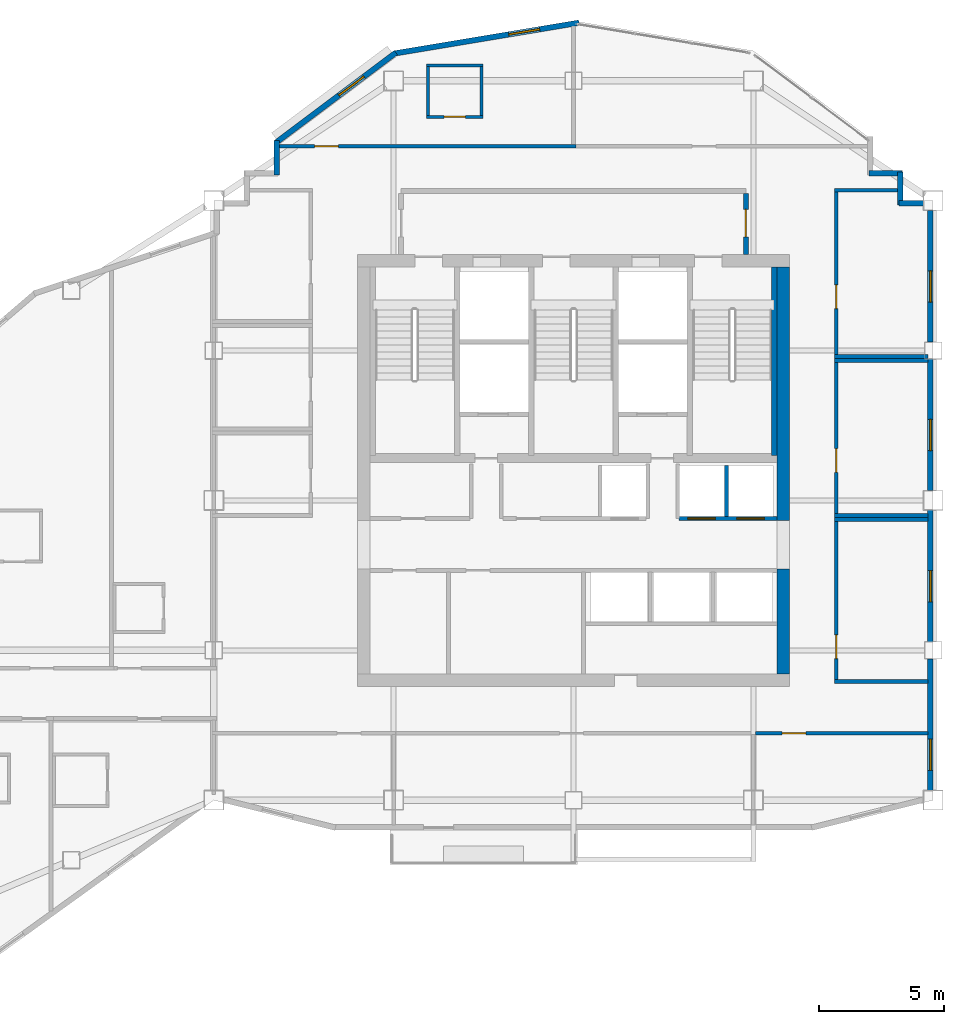
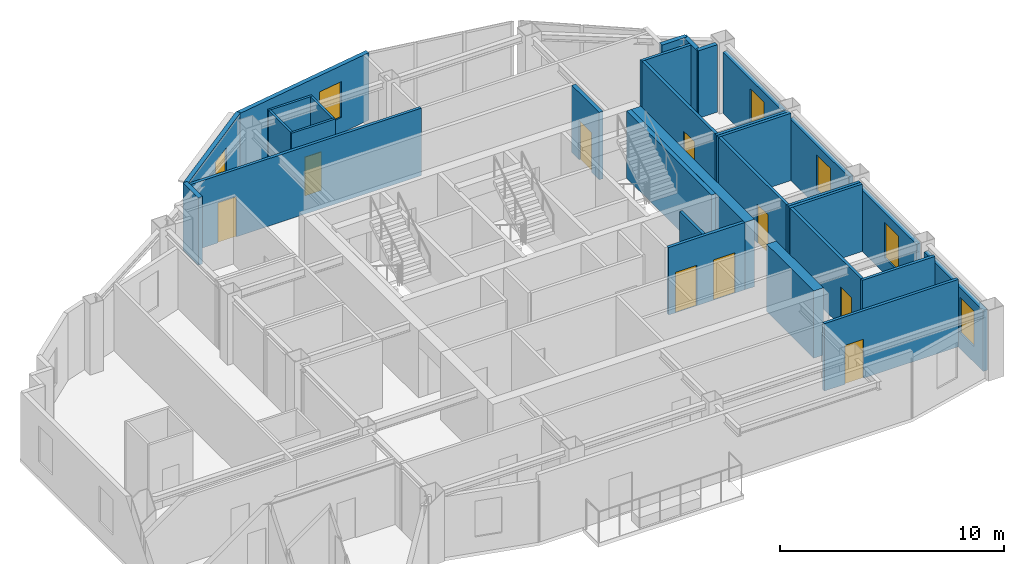
# One storey, part 7 of 9: 31 walls, 9 doors, 6 windows, 15 openings.
"""IFC4 building model written with IfcOpenShell, lengths in metres."""

import ifcopenshell
import ifcopenshell.guid

model = None  # the IFC model being written
_history = None  # IfcOwnerHistory: only IFC2X3 demands one
_inside = {}  # id of a spatial element -> (the spatial element, [elements in it])
_under = {}  # id of a project, library or spatial element -> (it, [spatial elements below it])
_declared = {}  # id of a project -> (the project, [libraries it declares])
_typed = {}  # id of a type object -> (the type object, [elements of that type])
_made_of = {}  # id of a material, layer set ... -> (it, [elements and type objects made of it])


def new_model(schema):
    """Start an empty IFC model of exactly this schema.

    Asked for "IFC4X3", IfcOpenShell would pick the latest addendum, in which some entities
    have other attributes; the version numbers below select the first issue.
    IFC2X3 requires an IfcOwnerHistory on every rooted entity: one is made here for all.
    """
    global model, _history
    if schema == "IFC4X3":
        model = ifcopenshell.file(schema_version=(4, 3, 0, 0))
    else:
        model = ifcopenshell.file(schema=schema)
    _inside.clear()
    _under.clear()
    _declared.clear()
    _typed.clear()
    _made_of.clear()
    _history = None
    if model.schema == "IFC2X3":
        org = make("IfcOrganization", Name="unknown")
        user = make(
            "IfcPersonAndOrganization",
            ThePerson=make("IfcPerson", FamilyName="unknown"),
            TheOrganization=org,
        )
        app = make(
            "IfcApplication",
            ApplicationDeveloper=org,
            Version="unknown",
            ApplicationFullName="unknown",
            ApplicationIdentifier="unknown",
        )
        _history = make(
            "IfcOwnerHistory",
            OwningUser=user,
            OwningApplication=app,
            ChangeAction="ADDED",
            CreationDate=0,
        )
    return model


def make(cls, **values):
    """One entity of the class cls with the attributes given. An attribute that is None is left unset."""
    return model.create_entity(
        cls, **{name: value for name, value in values.items() if value is not None}
    )


def rooted(cls, **values):
    """An entity with a GlobalId (a new one), such as an element, a storey or a relation."""
    return make(cls, GlobalId=ifcopenshell.guid.new(), OwnerHistory=_history, **values)


def si_unit(unit_type, name, prefix=None):
    """IfcSIUnit, for example si_unit("LENGTHUNIT", "METRE", prefix="MILLI")."""
    return make("IfcSIUnit", UnitType=unit_type, Prefix=prefix, Name=name)


def assignment(units):
    """IfcUnitAssignment: the units of a project."""
    return None if units is None else make("IfcUnitAssignment", Units=units)


def point(xyz):
    """IfcCartesianPoint."""
    return None if xyz is None else make("IfcCartesianPoint", Coordinates=xyz)


def direction(xyz):
    """IfcDirection."""
    return None if xyz is None else make("IfcDirection", DirectionRatios=xyz)


def frame(location, z_axis=None, x_axis=None):
    """IfcAxis2Placement3D, a coordinate frame: its origin and axes. An axis left out is left unset."""
    return make(
        "IfcAxis2Placement3D",
        Location=point(location),
        Axis=direction(z_axis),
        RefDirection=direction(x_axis),
    )


def frame_2d(location, x_axis=None):
    """IfcAxis2Placement2D, a coordinate frame in the plane: its origin and x axis."""
    return make(
        "IfcAxis2Placement2D", Location=point(location), RefDirection=direction(x_axis)
    )


def origin():
    """The frame at (0, 0, 0) with its axes left unset."""
    return frame((0.0, 0.0, 0.0))


def place(relative_to, where):
    """IfcLocalPlacement: puts the frame where relative to a parent placement (None: the world)."""
    return make(
        "IfcLocalPlacement", PlacementRelTo=relative_to, RelativePlacement=where
    )


def context(
    kind, dimensions, precision=None, world=None, true_north=None, identifier=None
):
    """IfcGeometricRepresentationContext, for example the 3D "Model" context."""
    return make(
        "IfcGeometricRepresentationContext",
        ContextIdentifier=identifier,
        ContextType=kind,
        CoordinateSpaceDimension=dimensions,
        Precision=precision,
        WorldCoordinateSystem=world,
        TrueNorth=true_north,
    )


def subcontext(parent, identifier, kind, view, scale=None):
    """IfcGeometricRepresentationSubContext, for example "Body" below "Model"."""
    return make(
        "IfcGeometricRepresentationSubContext",
        ContextIdentifier=identifier,
        ContextType=kind,
        ParentContext=parent,
        TargetScale=scale,
        TargetView=view,
    )


def project(units=None, contexts=None):
    """IfcProject with its units and contexts."""
    return rooted(
        "IfcProject",
        Name="project",
        RepresentationContexts=contexts,
        UnitsInContext=assignment(units),
    )


def spatial(cls, under=None, at=None, **own):
    """A site, building, storey or space (cls), placed at a placement, below another one or the project."""
    s = rooted(cls, ObjectPlacement=at, **own)
    if under is not None:
        _under.setdefault(under.id(), (under, []))[1].append(s)
    return s


def profile(cls, at=None, kind="AREA", **sizes):
    """A parametric profile (cls). Its sizes go by their IFC names, for example OverallWidth=200.0."""
    return make(cls, ProfileType=kind, Position=at, **sizes)


def rectangle(**sizes):
    """IfcRectangleProfileDef."""
    return profile("IfcRectangleProfileDef", **sizes)


def extrude(swept, where, along, depth):
    """IfcExtrudedAreaSolid: the profile swept, set in the frame where, extruded along a direction by depth."""
    return make(
        "IfcExtrudedAreaSolid",
        SweptArea=swept,
        Position=where,
        ExtrudedDirection=direction(along),
        Depth=depth,
    )


def shape(context_of_items, identifier, shape_type, items):
    """IfcShapeRepresentation: the items that make up one representation, for example the "Body"."""
    return make(
        "IfcShapeRepresentation",
        ContextOfItems=context_of_items,
        RepresentationIdentifier=identifier,
        RepresentationType=shape_type,
        Items=items,
    )


def material(Name=None, Category=None):
    """IfcMaterial."""
    return make("IfcMaterial", Name=Name, Category=Category)


def layer(
    of_material, thickness, ventilated=None, Name=None, Category=None, Priority=None
):
    """IfcMaterialLayer: one layer of a wall or slab, of a material (None: an air gap)."""
    return make(
        "IfcMaterialLayer",
        Material=of_material,
        LayerThickness=thickness,
        IsVentilated=ventilated,
        Name=Name,
        Category=Category,
        Priority=Priority,
    )


def layer_set(layers, Name=None):
    """IfcMaterialLayerSet."""
    return make("IfcMaterialLayerSet", MaterialLayers=layers, LayerSetName=Name)


def made_of(thing, what):
    """Note that an element or type object is made of a material, layer set ...; save() writes the relation."""
    if what is not None:
        _made_of.setdefault(what.id(), (what, []))[1].append(thing)
    return thing


def type_object(cls, material=None, **own):
    """A type object (cls), such as IfcWallType, which elements share."""
    return made_of(rooted(cls, **own), material)


def element(
    cls,
    number,
    at=None,
    inside=None,
    cuts=None,
    type_object=None,
    material=None,
    context=None,
    identifier="Body",
    shape_type=None,
    held_by="IfcProductDefinitionShape",
    body=None,
    shapes=None,
    **own,
):
    """One element of the class cls, such as IfcWall. Its Tag is "e" and its number.

    at: its placement. inside: the storey or other place that contains it. cuts: it is an
    opening in that element (IfcRelVoidsElement). A single representation is given by context,
    identifier, shape_type and body (its items); several are given by shapes. held_by: the class
    of the entity that holds the representations. save() writes the other relations.
    """
    e = rooted(cls, Tag="e%d" % number, ObjectPlacement=at, **own)
    if body is not None:
        shapes = [shape(context, identifier, shape_type, body)]
    if shapes is not None:
        e.Representation = make(held_by, Representations=shapes)
    if inside is not None:
        _inside.setdefault(inside.id(), (inside, []))[1].append(e)
    if cuts is not None:
        rooted(
            "IfcRelVoidsElement", RelatingBuildingElement=cuts, RelatedOpeningElement=e
        )
    if type_object is not None:
        _typed.setdefault(type_object.id(), (type_object, []))[1].append(e)
    return made_of(e, material)


def fill(opening, filler):
    """IfcRelFillsElement: the door or window that sits in an opening."""
    return rooted(
        "IfcRelFillsElement",
        RelatingOpeningElement=opening,
        RelatedBuildingElement=filler,
    )


def aggregate(whole, parts):
    """IfcRelAggregates: a whole, such as a stair, and the parts it consists of."""
    return rooted("IfcRelAggregates", RelatingObject=whole, RelatedObjects=parts)


def save(model, path):
    """Write the relations noted so far, then the file.

    IfcRelAggregates (storeys below a building ...), IfcRelContainedInSpatialStructure (elements
    in a storey), IfcRelDefinesByType, IfcRelAssociatesMaterial and IfcRelDeclares: one each for
    every whole, place, type object, material and project.
    """
    for whole, parts in _under.values():
        aggregate(whole, parts)
    for where, things in _inside.values():
        rooted(
            "IfcRelContainedInSpatialStructure",
            RelatedElements=things,
            RelatingStructure=where,
        )
    for kind, things in _typed.values():
        rooted("IfcRelDefinesByType", RelatedObjects=things, RelatingType=kind)
    for what, things in _made_of.values():
        rooted("IfcRelAssociatesMaterial", RelatedObjects=things, RelatingMaterial=what)
    for by, libraries in _declared.values():
        rooted("IfcRelDeclares", RelatingContext=by, RelatedDefinitions=libraries)
    model.write(path)


model = new_model("IFC4")

# Units and contexts
model_context = context("Model", 3, precision=1e-05, world=origin(), true_north=direction((0.0, 1.0)))
body_context = subcontext(model_context, "Body", "Model", "MODEL_VIEW")
ifc_project = project(units=[si_unit("LENGTHUNIT", "METRE"), si_unit("AREAUNIT", "SQUARE_METRE"), si_unit("VOLUMEUNIT", "CUBIC_METRE"), si_unit("PLANEANGLEUNIT", "RADIAN"), si_unit("MASSUNIT", "GRAM", prefix="KILO")], contexts=[model_context])

# Site, building, storey
site_placement = place(None, origin())
site = spatial("IfcSite", under=ifc_project, at=site_placement, CompositionType="ELEMENT")
building_placement = place(site_placement, origin())
building = spatial("IfcBuilding", under=site, at=building_placement, Name="Haolan Belvedere Tower", CompositionType="ELEMENT")
storey_placement = place(building_placement, frame((0.0, 0.0, 242.89990234375)))
storey = spatial("IfcBuildingStorey", under=building, at=storey_placement, Name="L61", CompositionType="ELEMENT", Elevation=242.89990234375)

# Walls
ifc_material_1 = material(Name="Concrete C50/60", Category="concrete")
ifc_layer_1 = layer(ifc_material_1, 0.5, Name="Concrete C50/60")
ifc_layer_set_1 = layer_set([ifc_layer_1], Name="Concrete C50/60")
wall_type_1 = type_object("IfcWallType", Name="WL-CORE-500", PredefinedType="SHEAR", material=ifc_layer_set_1)
wall_1_placement = place(storey_placement, frame((46.800048828125, 26.64990234375, 0.0), z_axis=(0.0, 0.0, 1.0), x_axis=(0.0, 1.0, 0.0)))
element("IfcWall", 1, at=wall_1_placement, inside=storey, type_object=wall_type_1, Name="L61 central core shear wall ES", PredefinedType="SHEAR", context=body_context, shape_type="SweptSolid", body=[
    extrude(rectangle(XDim=4.2001953125, YDim=0.5, at=frame_2d((2.10009765625, 0.0))), origin(), (0.0, 0.0, 1.0), 3.670166015625),
])
wall_2_placement = place(storey_placement, frame((46.800048828125, 32.800048828125, 0.0), z_axis=(0.0, 0.0, 1.0), x_axis=(0.0, 1.0, 0.0)))
element("IfcWall", 2, at=wall_2_placement, inside=storey, type_object=wall_type_1, Name="L61 central core shear wall EN", PredefinedType="SHEAR", context=body_context, shape_type="SweptSolid", body=[
    extrude(rectangle(XDim=10.14990234375, YDim=0.5, at=frame_2d((5.074951171875, 0.0))), origin(), (0.0, 0.0, 1.0), 3.670166015625),
])

# Wall, opening, window
ifc_material_2 = material(Name="Precast concrete C40/50", Category="concrete")
ifc_layer_2 = layer(ifc_material_2, 0.219970703125, Name="Precast concrete C40/50")
ifc_layer_set_2 = layer_set([ifc_layer_2], Name="Precast concrete C40/50")
wall_type_2 = type_object("IfcWallType", Name="WL-EXT-220", PredefinedType="SOLIDWALL", material=ifc_layer_set_2)
wall_3_placement = place(storey_placement, frame((52.68994140625, 21.991943359375, 0.0), z_axis=(0.0, 0.0, 1.0), x_axis=(0.0, 1.0, 0.0)))
wall_3 = element("IfcWall", 3, at=wall_3_placement, inside=storey, type_object=wall_type_2, Name="L61 pale-metal exterior spandrel wall 3.1", PredefinedType="SOLIDWALL", context=body_context, shape_type="SweptSolid", body=[
    extrude(rectangle(XDim=5.26611328125, YDim=0.219970703125, at=frame_2d((2.633056640625, 0.0))), origin(), (0.0, 0.0, 1.0), 3.315185546875),
])
opening_1_placement = place(wall_3_placement, frame((0.802978515625, 0.0, 0.85009765625)))
opening_1 = element("IfcOpeningElement", 4, at=opening_1_placement, cuts=wall_3, Name="Opening W-04", PredefinedType="OPENING", context=body_context, shape_type="SweptSolid", body=[
    extrude(rectangle(XDim=1.25, YDim=1.949951171875, at=frame_2d((0.625, 0.97509765625))), frame((0.0, 0.119873046875, 0.0), z_axis=(0.0, -1.0, 0.0), x_axis=(1.0, 0.0, 0.0)), (0.0, 0.0, 1.0), 0.239990234375),
])
ifc_material_3 = material(Name="Anodised aluminium 6063-T6 and Low-E glass", Category="aluminium")
window_type = type_object("IfcWindowType", Name="WN-DECO-Z4", PartitioningType="SINGLE_PANEL", PredefinedType="WINDOW", material=ifc_material_3)
window_1_placement = place(opening_1_placement, origin())
window_1 = element("IfcWindow", 5, at=window_1_placement, inside=storey, type_object=window_type, Name="L61 Art Deco chevron window 1", OverallHeight=1.949951171875, OverallWidth=1.25, PartitioningType="SINGLE_PANEL", PredefinedType="WINDOW", context=body_context, shape_type="SweptSolid", body=[
    extrude(rectangle(XDim=1.25, YDim=1.949951171875, at=frame_2d((0.625, 0.97509765625))), frame((0.0, 0.030029296875, 0.0), z_axis=(0.0, -1.0, 0.0), x_axis=(1.0, 0.0, 0.0)), (0.0, 0.0, 1.0), 0.06005859375),
])
fill(opening_1, window_1)

wall_4_placement = place(storey_placement, frame((52.68994140625, 27.94189453125, 0.0), z_axis=(0.0, 0.0, 1.0), x_axis=(0.0, 1.0, 0.0)))
wall_4 = element("IfcWall", 6, at=wall_4_placement, inside=storey, type_object=wall_type_2, Name="L61 pale-metal exterior spandrel wall 3.2", PredefinedType="SOLIDWALL", context=body_context, shape_type="SweptSolid", body=[
    extrude(rectangle(XDim=5.26611328125, YDim=0.219970703125, at=frame_2d((2.633056640625, 0.0))), origin(), (0.0, 0.0, 1.0), 3.315185546875),
])
opening_2_placement = place(wall_4_placement, frame((1.60009765625, 0.0, 0.85009765625)))
opening_2 = element("IfcOpeningElement", 7, at=opening_2_placement, cuts=wall_4, Name="Opening W-04", PredefinedType="OPENING", context=body_context, shape_type="SweptSolid", body=[
    extrude(rectangle(XDim=1.25, YDim=1.949951171875, at=frame_2d((0.625, 0.97509765625))), frame((0.0, 0.119873046875, 0.0), z_axis=(0.0, -1.0, 0.0), x_axis=(1.0, 0.0, 0.0)), (0.0, 0.0, 1.0), 0.239990234375),
])
window_2_placement = place(opening_2_placement, origin())
window_2 = element("IfcWindow", 8, at=window_2_placement, inside=storey, type_object=window_type, Name="L61 Art Deco chevron window 1", OverallHeight=1.949951171875, OverallWidth=1.25, PartitioningType="SINGLE_PANEL", PredefinedType="WINDOW", context=body_context, shape_type="SweptSolid", body=[
    extrude(rectangle(XDim=1.25, YDim=1.949951171875, at=frame_2d((0.625, 0.97509765625))), frame((0.0, 0.030029296875, 0.0), z_axis=(0.0, -1.0, 0.0), x_axis=(1.0, 0.0, 0.0)), (0.0, 0.0, 1.0), 0.06005859375),
])
fill(opening_2, window_2)

wall_5_placement = place(storey_placement, frame((52.68994140625, 33.991943359375, 0.0), z_axis=(0.0, 0.0, 1.0), x_axis=(0.0, 1.0, 0.0)))
wall_5 = element("IfcWall", 9, at=wall_5_placement, inside=storey, type_object=wall_type_2, Name="L61 pale-metal exterior spandrel wall 3.3", PredefinedType="SOLIDWALL", context=body_context, shape_type="SweptSolid", body=[
    extrude(rectangle(XDim=5.26611328125, YDim=0.219970703125, at=frame_2d((2.633056640625, 0.0))), origin(), (0.0, 0.0, 1.0), 3.315185546875),
])
opening_3_placement = place(wall_5_placement, frame((1.60009765625, 0.0, 0.85009765625)))
opening_3 = element("IfcOpeningElement", 10, at=opening_3_placement, cuts=wall_5, Name="Opening W-04", PredefinedType="OPENING", context=body_context, shape_type="SweptSolid", body=[
    extrude(rectangle(XDim=1.25, YDim=1.949951171875, at=frame_2d((0.625, 0.97509765625))), frame((0.0, 0.119873046875, 0.0), z_axis=(0.0, -1.0, 0.0), x_axis=(1.0, 0.0, 0.0)), (0.0, 0.0, 1.0), 0.239990234375),
])
window_3_placement = place(opening_3_placement, origin())
window_3 = element("IfcWindow", 11, at=window_3_placement, inside=storey, type_object=window_type, Name="L61 Art Deco chevron window 1", OverallHeight=1.949951171875, OverallWidth=1.25, PartitioningType="SINGLE_PANEL", PredefinedType="WINDOW", context=body_context, shape_type="SweptSolid", body=[
    extrude(rectangle(XDim=1.25, YDim=1.949951171875, at=frame_2d((0.625, 0.97509765625))), frame((0.0, 0.030029296875, 0.0), z_axis=(0.0, -1.0, 0.0), x_axis=(1.0, 0.0, 0.0)), (0.0, 0.0, 1.0), 0.06005859375),
])
fill(opening_3, window_3)

wall_6_placement = place(storey_placement, frame((52.68994140625, 39.94189453125, 0.0), z_axis=(0.0, 0.0, 1.0), x_axis=(0.0, 1.0, 0.0)))
wall_6 = element("IfcWall", 12, at=wall_6_placement, inside=storey, type_object=wall_type_2, Name="L61 pale-metal exterior spandrel wall 3.4", PredefinedType="SOLIDWALL", context=body_context, shape_type="SweptSolid", body=[
    extrude(rectangle(XDim=5.26611328125, YDim=0.219970703125, at=frame_2d((2.633056640625, 0.0))), origin(), (0.0, 0.0, 1.0), 3.315185546875),
])
opening_4_placement = place(wall_6_placement, frame((1.60009765625, 0.0, 0.85009765625)))
opening_4 = element("IfcOpeningElement", 13, at=opening_4_placement, cuts=wall_6, Name="Opening W-04", PredefinedType="OPENING", context=body_context, shape_type="SweptSolid", body=[
    extrude(rectangle(XDim=1.25, YDim=1.949951171875, at=frame_2d((0.625, 0.97509765625))), frame((0.0, 0.119873046875, 0.0), z_axis=(0.0, -1.0, 0.0), x_axis=(1.0, 0.0, 0.0)), (0.0, 0.0, 1.0), 0.239990234375),
])
window_4_placement = place(opening_4_placement, origin())
window_4 = element("IfcWindow", 14, at=window_4_placement, inside=storey, type_object=window_type, Name="L61 Art Deco chevron window 1", OverallHeight=1.949951171875, OverallWidth=1.25, PartitioningType="SINGLE_PANEL", PredefinedType="WINDOW", context=body_context, shape_type="SweptSolid", body=[
    extrude(rectangle(XDim=1.25, YDim=1.949951171875, at=frame_2d((0.625, 0.97509765625))), frame((0.0, 0.030029296875, 0.0), z_axis=(0.0, -1.0, 0.0), x_axis=(1.0, 0.0, 0.0)), (0.0, 0.0, 1.0), 0.06005859375),
])
fill(opening_4, window_4)

# Walls
wall_7_placement = place(storey_placement, frame((52.407958984375, 45.489990234375, 0.0), z_axis=(0.0, 0.0, 1.0), x_axis=(-1.0, 0.0, 0.0)))
element("IfcWall", 15, at=wall_7_placement, inside=storey, type_object=wall_type_2, Name="L61 pale-metal exterior spandrel wall 4.1", PredefinedType="SOLIDWALL", context=body_context, shape_type="SweptSolid", body=[
    extrude(rectangle(XDim=0.972900390625, YDim=0.219970703125, at=frame_2d((0.486328125, 0.0))), origin(), (0.0, 0.0, 1.0), 3.670166015625),
])
wall_8_placement = place(storey_placement, frame((51.489990234375, 45.43505859375, 0.0), z_axis=(0.0, 0.0, 1.0), x_axis=(0.0, 1.0, 0.0)))
element("IfcWall", 16, at=wall_8_placement, inside=storey, type_object=wall_type_2, Name="L61 pale-metal exterior spandrel wall 5.1", PredefinedType="SOLIDWALL", context=body_context, shape_type="SweptSolid", body=[
    extrude(rectangle(XDim=1.31005859375, YDim=0.219970703125, at=frame_2d((0.655029296875, 0.0))), origin(), (0.0, 0.0, 1.0), 3.670166015625),
])
wall_9_placement = place(storey_placement, frame((51.544921875, 46.68994140625, 0.0), z_axis=(0.0, 0.0, 1.0), x_axis=(-1.0, 0.0, 0.0)))
element("IfcWall", 17, at=wall_9_placement, inside=storey, type_object=wall_type_2, Name="L61 pale-metal exterior spandrel wall 6.1", PredefinedType="SOLIDWALL", context=body_context, shape_type="SweptSolid", body=[
    extrude(rectangle(XDim=1.309814453125, YDim=0.219970703125, at=frame_2d((0.65478515625, 0.0))), origin(), (0.0, 0.0, 1.0), 3.670166015625),
])

# Wall, opening, window
wall_10_placement = place(storey_placement, frame((38.621826171875, 52.7255859375, 0.0), z_axis=(0.0, 0.0, 1.0), x_axis=(-0.986390420428, -0.164420006349, 0.0)))
wall_10 = element("IfcWall", 18, at=wall_10_placement, inside=storey, type_object=wall_type_2, Name="L61 pale-metal exterior spandrel wall 10.1", PredefinedType="SOLIDWALL", context=body_context, shape_type="SweptSolid", body=[
    extrude(rectangle(XDim=7.5341796875, YDim=0.219970703125, at=frame_2d((3.76708984375, 0.0))), origin(), (0.0, 0.0, 1.0), 3.670166015625),
])
opening_5_placement = place(wall_10_placement, frame((1.60009765625, 0.0, 0.85009765625)))
opening_5 = element("IfcOpeningElement", 19, at=opening_5_placement, cuts=wall_10, Name="Opening W-04", PredefinedType="OPENING", context=body_context, shape_type="SweptSolid", body=[
    extrude(rectangle(XDim=1.25, YDim=1.949951171875, at=frame_2d((0.625, 0.97509765625))), frame((0.0, 0.119873046875, 0.0), z_axis=(0.0, -1.0, 0.0), x_axis=(1.0, 0.0, 0.0)), (0.0, 0.0, 1.0), 0.239990234375),
])
window_5_placement = place(opening_5_placement, origin())
window_5 = element("IfcWindow", 20, at=window_5_placement, inside=storey, type_object=window_type, Name="L61 Art Deco chevron window 1", OverallHeight=1.949951171875, OverallWidth=1.25, PartitioningType="SINGLE_PANEL", PredefinedType="WINDOW", context=body_context, shape_type="SweptSolid", body=[
    extrude(rectangle(XDim=1.25, YDim=1.949951171875, at=frame_2d((0.625, 0.97509765625))), frame((0.0, 0.030029296875, 0.0), z_axis=(0.0, -1.0, 0.0), x_axis=(1.0, 0.0, 0.0)), (0.0, 0.0, 1.0), 0.06005859375),
])
fill(opening_5, window_5)

wall_11_placement = place(storey_placement, frame((31.28857421875, 51.52880859375, 0.0), z_axis=(0.0, 0.0, 1.0), x_axis=(-0.800014580093, -0.599980559383, 0.0)))
wall_11 = element("IfcWall", 21, at=wall_11_placement, inside=storey, type_object=wall_type_2, Name="L61 pale-metal exterior spandrel wall 11.1", PredefinedType="SOLIDWALL", context=body_context, shape_type="SweptSolid", body=[
    extrude(rectangle(XDim=6.028076171875, YDim=0.219970703125, at=frame_2d((3.01416015625, 0.0))), origin(), (0.0, 0.0, 1.0), 3.670166015625),
])
opening_6_placement = place(wall_11_placement, frame((1.60009765625, 0.0, 0.85009765625)))
opening_6 = element("IfcOpeningElement", 22, at=opening_6_placement, cuts=wall_11, Name="Opening W-04", PredefinedType="OPENING", context=body_context, shape_type="SweptSolid", body=[
    extrude(rectangle(XDim=1.25, YDim=1.949951171875, at=frame_2d((0.625, 0.97509765625))), frame((0.0, 0.119873046875, 0.0), z_axis=(0.0, -1.0, 0.0), x_axis=(1.0, 0.0, 0.0)), (0.0, 0.0, 1.0), 0.239990234375),
])
window_6_placement = place(opening_6_placement, origin())
window_6 = element("IfcWindow", 23, at=window_6_placement, inside=storey, type_object=window_type, Name="L61 Art Deco chevron window 1", OverallHeight=1.949951171875, OverallWidth=1.25, PartitioningType="SINGLE_PANEL", PredefinedType="WINDOW", context=body_context, shape_type="SweptSolid", body=[
    extrude(rectangle(XDim=1.25, YDim=1.949951171875, at=frame_2d((0.625, 0.97509765625))), frame((0.0, 0.030029296875, 0.0), z_axis=(0.0, -1.0, 0.0), x_axis=(1.0, 0.0, 0.0)), (0.0, 0.0, 1.0), 0.06005859375),
])
fill(opening_6, window_6)

# Wall
wall_12_placement = place(storey_placement, frame((26.510009765625, 48.0, 0.0), z_axis=(0.0, 0.0, 1.0), x_axis=(0.0, -1.0, 0.0)))
element("IfcWall", 24, at=wall_12_placement, inside=storey, type_object=wall_type_2, Name="L61 pale-metal exterior spandrel wall 12.1", PredefinedType="SOLIDWALL", context=body_context, shape_type="SweptSolid", body=[
    extrude(rectangle(XDim=1.364990234375, YDim=0.219970703125, at=frame_2d((0.6826171875, 0.0))), origin(), (0.0, 0.0, 1.0), 3.670166015625),
])

# Wall, opening, door
ifc_material_4 = material(Name="Concrete C40/50", Category="concrete")
ifc_layer_3 = layer(ifc_material_4, 0.199951171875, Name="Concrete C40/50")
ifc_layer_set_3 = layer_set([ifc_layer_3], Name="Concrete C40/50")
wall_type_3 = type_object("IfcWallType", Name="WL-FIRE-200", PredefinedType="SOLIDWALL", material=ifc_layer_set_3)
wall_13_placement = place(storey_placement, frame((45.300048828125, 43.449951171875, 0.0), z_axis=(0.0, 0.0, 1.0), x_axis=(0.0, 1.0, 0.0)))
wall_13 = element("IfcWall", 25, at=wall_13_placement, inside=storey, type_object=wall_type_3, Name="L61 interior partition IW-L61-FFL-E", PredefinedType="SOLIDWALL", context=body_context, shape_type="SweptSolid", body=[
    extrude(rectangle(XDim=2.445068359375, YDim=0.199951171875, at=frame_2d((1.22265625, 0.0))), origin(), (0.0, 0.0, 1.0), 3.670166015625),
])
opening_7_placement = place(wall_13_placement, frame((0.699951171875, 0.0, 0.0)))
opening_7 = element("IfcOpeningElement", 26, at=opening_7_placement, cuts=wall_13, Name="Opening FD-03", PredefinedType="OPENING", context=body_context, shape_type="SweptSolid", body=[
    extrude(rectangle(XDim=1.10009765625, YDim=2.14990234375, at=frame_2d((0.550048828125, 1.074951171875))), frame((0.0, 0.10986328125, 0.0), z_axis=(0.0, -1.0, 0.0), x_axis=(1.0, 0.0, 0.0)), (0.0, 0.0, 1.0), 0.219970703125),
])
ifc_material_5 = material(Name="Galvanised fire-rated steel", Category="steel")
door_type_1 = type_object("IfcDoorType", Name="DR-FD90-1100", OperationType="NOTDEFINED", PredefinedType="DOOR", material=ifc_material_5)
door_1_placement = place(opening_7_placement, origin())
door_1 = element("IfcDoor", 27, at=door_1_placement, inside=storey, type_object=door_type_1, Name="L61 door ID-L61-FFL-DE", OperationType="SINGLE_SWING_RIGHT", OverallHeight=2.14990234375, OverallWidth=1.10009765625, PredefinedType="DOOR", context=body_context, shape_type="SweptSolid", body=[
    extrude(rectangle(XDim=1.10009765625, YDim=2.14990234375, at=frame_2d((0.550048828125, 1.074951171875))), frame((0.0, 0.02490234375, 0.0), z_axis=(0.0, -1.0, 0.0), x_axis=(1.0, 0.0, 0.0)), (0.0, 0.0, 1.0), 0.050048828125),
])
fill(opening_7, door_1)

# Walls
ifc_material_6 = material(Name="Double gypsum acoustic stud partition", Category="masonry")
ifc_layer_4 = layer(ifc_material_6, 0.14990234375, Name="Double gypsum acoustic stud partition")
ifc_layer_set_4 = layer_set([ifc_layer_4], Name="Double gypsum acoustic stud partition")
wall_type_4 = type_object("IfcWallType", Name="WL-PART-150", PredefinedType="PARTITIONING", material=ifc_layer_set_4)
for number, where, z_axis, x_axis, name in (
    (28, (48.840087890625, 39.199951171875, 0.0), (0.0, 0.0, 1.0), (1.0, 0.0, 0.0), "L61 interior partition IW-L61-HSK-N"),
    (29, (48.840087890625, 33.0, 0.0), (0.0, 0.0, 1.0), (1.0, 0.0, 0.0), "L61 interior partition IW-L61-HSK-S"),
):
    element("IfcWall", number, at=place(storey_placement, frame(where, z_axis=z_axis, x_axis=x_axis)), inside=storey, type_object=wall_type_4, Name=name, PredefinedType="PARTITIONING", context=body_context, shape_type="SweptSolid", body=[
        extrude(rectangle(XDim=3.747802734375, YDim=0.14990234375, at=frame_2d((1.8740234375, 0.0))), origin(), (0.0, 0.0, 1.0), 3.670166015625),
    ])

# Wall, opening, door
wall_14_placement = place(storey_placement, frame((48.919921875, 33.06005859375, 0.0), z_axis=(0.0, 0.0, 1.0), x_axis=(0.0, 1.0, 0.0)))
wall_14 = element("IfcWall", 30, at=wall_14_placement, inside=storey, type_object=wall_type_4, Name="L61 interior partition IW-L61-HSK-W", PredefinedType="PARTITIONING", context=body_context, shape_type="SweptSolid", body=[
    extrude(rectangle(XDim=6.079833984375, YDim=0.14990234375, at=frame_2d((3.0400390625, 0.0))), origin(), (0.0, 0.0, 1.0), 3.670166015625),
])
opening_8_placement = place(wall_14_placement, frame((1.659912109375, 0.0, 0.0)))
opening_8 = element("IfcOpeningElement", 31, at=opening_8_placement, cuts=wall_14, Name="Opening ID-03", PredefinedType="OPENING", context=body_context, shape_type="SweptSolid", body=[
    extrude(rectangle(XDim=0.949951171875, YDim=2.1201171875, at=frame_2d((0.47509765625, 1.06005859375))), frame((0.0, 0.0849609375, 0.0), z_axis=(0.0, -1.0, 0.0), x_axis=(1.0, 0.0, 0.0)), (0.0, 0.0, 1.0), 0.169921875),
])
ifc_material_7 = material(Name="Painted solid-core timber", Category="wood")
door_type_2 = type_object("IfcDoorType", Name="DR-INT-950", OperationType="NOTDEFINED", PredefinedType="DOOR", material=ifc_material_7)
door_2_placement = place(opening_8_placement, origin())
door_2 = element("IfcDoor", 32, at=door_2_placement, inside=storey, type_object=door_type_2, Name="L61 door ID-L61-HSK", OperationType="SINGLE_SWING_RIGHT", OverallHeight=2.1201171875, OverallWidth=0.949951171875, PredefinedType="DOOR", context=body_context, shape_type="SweptSolid", body=[
    extrude(rectangle(XDim=0.949951171875, YDim=2.1201171875, at=frame_2d((0.47509765625, 1.06005859375))), frame((0.0, 0.02490234375, 0.0), z_axis=(0.0, -1.0, 0.0), x_axis=(1.0, 0.0, 0.0)), (0.0, 0.0, 1.0), 0.050048828125),
])
fill(opening_8, door_2)

# Walls
wall_15_placement = place(storey_placement, frame((48.840087890625, 46.02001953125, 0.0), z_axis=(0.0, 0.0, 1.0), x_axis=(1.0, 0.0, 0.0)))
element("IfcWall", 33, at=wall_15_placement, inside=storey, type_object=wall_type_4, Name="L61 interior partition IW-L61-MTG-N", PredefinedType="PARTITIONING", context=body_context, shape_type="SweptSolid", body=[
    extrude(rectangle(XDim=2.5478515625, YDim=0.14990234375, at=frame_2d((1.27392578125, 0.0))), origin(), (0.0, 0.0, 1.0), 3.670166015625),
])
wall_16_placement = place(storey_placement, frame((48.840087890625, 39.360107421875, 0.0), z_axis=(0.0, 0.0, 1.0), x_axis=(1.0, 0.0, 0.0)))
element("IfcWall", 34, at=wall_16_placement, inside=storey, type_object=wall_type_4, Name="L61 interior partition IW-L61-MTG-S", PredefinedType="PARTITIONING", context=body_context, shape_type="SweptSolid", body=[
    extrude(rectangle(XDim=3.747802734375, YDim=0.14990234375, at=frame_2d((1.8740234375, 0.0))), origin(), (0.0, 0.0, 1.0), 3.670166015625),
])

# Wall, opening, door
wall_17_placement = place(storey_placement, frame((48.919921875, 39.419921875, 0.0), z_axis=(0.0, 0.0, 1.0), x_axis=(0.0, 1.0, 0.0)))
wall_17 = element("IfcWall", 35, at=wall_17_placement, inside=storey, type_object=wall_type_4, Name="L61 interior partition IW-L61-MTG-W", PredefinedType="PARTITIONING", context=body_context, shape_type="SweptSolid", body=[
    extrude(rectangle(XDim=6.5400390625, YDim=0.14990234375, at=frame_2d((3.27001953125, 0.0))), origin(), (0.0, 0.0, 1.0), 3.670166015625),
])
opening_9_placement = place(wall_17_placement, frame((1.860107421875, 0.0, 0.0)))
opening_9 = element("IfcOpeningElement", 36, at=opening_9_placement, cuts=wall_17, Name="Opening ID-03", PredefinedType="OPENING", context=body_context, shape_type="SweptSolid", body=[
    extrude(rectangle(XDim=0.949951171875, YDim=2.1201171875, at=frame_2d((0.47509765625, 1.06005859375))), frame((0.0, 0.0849609375, 0.0), z_axis=(0.0, -1.0, 0.0), x_axis=(1.0, 0.0, 0.0)), (0.0, 0.0, 1.0), 0.169921875),
])
door_3_placement = place(opening_9_placement, origin())
door_3 = element("IfcDoor", 37, at=door_3_placement, inside=storey, type_object=door_type_2, Name="L61 door ID-L61-MTG", OperationType="SINGLE_SWING_LEFT", OverallHeight=2.1201171875, OverallWidth=0.949951171875, PredefinedType="DOOR", context=body_context, shape_type="SweptSolid", body=[
    extrude(rectangle(XDim=0.949951171875, YDim=2.1201171875, at=frame_2d((0.47509765625, 1.06005859375))), frame((0.0, 0.02490234375, 0.0), z_axis=(0.0, -1.0, 0.0), x_axis=(1.0, 0.0, 0.0)), (0.0, 0.0, 1.0), 0.050048828125),
])
fill(opening_9, door_3)

# Walls
for number, where, z_axis, x_axis, name in (
    (38, (48.840087890625, 32.840087890625, 0.0), (0.0, 0.0, 1.0), (1.0, 0.0, 0.0), "L61 interior partition IW-L61-PKTE-N"),
    (39, (48.840087890625, 26.35009765625, 0.0), (0.0, 0.0, 1.0), (1.0, 0.0, 0.0), "L61 interior partition IW-L61-PKTE-S"),
):
    element("IfcWall", number, at=place(storey_placement, frame(where, z_axis=z_axis, x_axis=x_axis)), inside=storey, type_object=wall_type_4, Name=name, PredefinedType="PARTITIONING", context=body_context, shape_type="SweptSolid", body=[
        extrude(rectangle(XDim=3.747802734375, YDim=0.14990234375, at=frame_2d((1.8740234375, 0.0))), origin(), (0.0, 0.0, 1.0), 3.670166015625),
    ])

# Wall, opening, door
wall_18_placement = place(storey_placement, frame((48.919921875, 26.409912109375, 0.0), z_axis=(0.0, 0.0, 1.0), x_axis=(0.0, 1.0, 0.0)))
wall_18 = element("IfcWall", 40, at=wall_18_placement, inside=storey, type_object=wall_type_4, Name="L61 interior partition IW-L61-PKTE-W", PredefinedType="PARTITIONING", context=body_context, shape_type="SweptSolid", body=[
    extrude(rectangle(XDim=6.3701171875, YDim=0.14990234375, at=frame_2d((3.18505859375, 0.0))), origin(), (0.0, 0.0, 1.0), 3.670166015625),
])
opening_10_placement = place(wall_18_placement, frame((0.860107421875, 0.0, 0.0)))
opening_10 = element("IfcOpeningElement", 41, at=opening_10_placement, cuts=wall_18, Name="Opening ID-03", PredefinedType="OPENING", context=body_context, shape_type="SweptSolid", body=[
    extrude(rectangle(XDim=0.949951171875, YDim=2.1201171875, at=frame_2d((0.47509765625, 1.06005859375))), frame((0.0, 0.0849609375, 0.0), z_axis=(0.0, -1.0, 0.0), x_axis=(1.0, 0.0, 0.0)), (0.0, 0.0, 1.0), 0.169921875),
])
door_4_placement = place(opening_10_placement, origin())
door_4 = element("IfcDoor", 42, at=door_4_placement, inside=storey, type_object=door_type_2, Name="L61 door ID-L61-PKTE", OperationType="SINGLE_SWING_RIGHT", OverallHeight=2.1201171875, OverallWidth=0.949951171875, PredefinedType="DOOR", context=body_context, shape_type="SweptSolid", body=[
    extrude(rectangle(XDim=0.949951171875, YDim=2.1201171875, at=frame_2d((0.47509765625, 1.06005859375))), frame((0.0, 0.02490234375, 0.0), z_axis=(0.0, -1.0, 0.0), x_axis=(1.0, 0.0, 0.0)), (0.0, 0.0, 1.0), 0.050048828125),
])
fill(opening_10, door_4)

wall_19_placement = place(storey_placement, frame((45.681884765625, 24.280029296875, 0.0), z_axis=(0.0, 0.0, 1.0), x_axis=(1.0, 0.0, 0.0)))
wall_19 = element("IfcWall", 43, at=wall_19_placement, inside=storey, type_object=wall_type_4, Name="L61 interior partition IW-L61-KS3-N", PredefinedType="PARTITIONING", context=body_context, shape_type="SweptSolid", body=[
    extrude(rectangle(XDim=6.906005859375, YDim=0.14990234375, at=frame_2d((3.453125, 0.0))), origin(), (0.0, 0.0, 1.0), 3.670166015625),
])
opening_11_placement = place(wall_19_placement, frame((2.01806640625, 0.0, 0.0), z_axis=(0.0, 0.0, 1.0), x_axis=(-1.0, 0.0, 0.0)))
opening_11 = element("IfcOpeningElement", 44, at=opening_11_placement, cuts=wall_19, Name="Opening ID-03", PredefinedType="OPENING", context=body_context, shape_type="SweptSolid", body=[
    extrude(rectangle(XDim=0.949951171875, YDim=2.1201171875, at=frame_2d((0.47509765625, 1.06005859375))), frame((0.0, 0.0849609375, 0.0), z_axis=(0.0, -1.0, 0.0), x_axis=(1.0, 0.0, 0.0)), (0.0, 0.0, 1.0), 0.169921875),
])
door_5_placement = place(opening_11_placement, origin())
door_5 = element("IfcDoor", 45, at=door_5_placement, inside=storey, type_object=door_type_2, Name="L61 door ID-L61-KS3", OperationType="SINGLE_SWING_LEFT", OverallHeight=2.1201171875, OverallWidth=0.949951171875, PredefinedType="DOOR", context=body_context, shape_type="SweptSolid", body=[
    extrude(rectangle(XDim=0.949951171875, YDim=2.1201171875, at=frame_2d((0.47509765625, 1.06005859375))), frame((0.0, 0.02490234375, 0.0), z_axis=(0.0, -1.0, 0.0), x_axis=(1.0, 0.0, 0.0)), (0.0, 0.0, 1.0), 0.050048828125),
])
fill(opening_11, door_5)

wall_20_placement = place(storey_placement, frame((26.612060546875, 47.780029296875, 0.0), z_axis=(0.0, 0.0, 1.0), x_axis=(1.0, 0.0, 0.0)))
wall_20 = element("IfcWall", 46, at=wall_20_placement, inside=storey, type_object=wall_type_4, Name="L61 interior partition IW-L61-KN1-S", PredefinedType="PARTITIONING", context=body_context, shape_type="SweptSolid", body=[
    extrude(rectangle(XDim=11.887939453125, YDim=0.14990234375, at=frame_2d((5.94384765625, 0.0))), origin(), (0.0, 0.0, 1.0), 3.670166015625),
])
opening_12_placement = place(wall_20_placement, frame((1.419921875, 0.0, 0.0)))
opening_12 = element("IfcOpeningElement", 47, at=opening_12_placement, cuts=wall_20, Name="Opening ID-01", PredefinedType="OPENING", context=body_context, shape_type="SweptSolid", body=[
    extrude(rectangle(XDim=0.949951171875, YDim=2.179931640625, at=frame_2d((0.47509765625, 1.08984375))), frame((0.0, 0.0849609375, 0.0), z_axis=(0.0, -1.0, 0.0), x_axis=(1.0, 0.0, 0.0)), (0.0, 0.0, 1.0), 0.169921875),
])
ifc_material_8 = material(Name="Acoustic walnut veneer fire-rated timber", Category="wood")
door_type_3 = type_object("IfcDoorType", Name="DR-SUITE-950", OperationType="NOTDEFINED", PredefinedType="DOOR", material=ifc_material_8)
door_6_placement = place(opening_12_placement, origin())
door_6 = element("IfcDoor", 48, at=door_6_placement, inside=storey, type_object=door_type_3, Name="L61 door ID-L61-KN1-ENT", OperationType="SINGLE_SWING_RIGHT", OverallHeight=2.179931640625, OverallWidth=0.949951171875, PredefinedType="DOOR", context=body_context, shape_type="SweptSolid", body=[
    extrude(rectangle(XDim=0.949951171875, YDim=2.179931640625, at=frame_2d((0.47509765625, 1.08984375))), frame((0.0, 0.02490234375, 0.0), z_axis=(0.0, -1.0, 0.0), x_axis=(1.0, 0.0, 0.0)), (0.0, 0.0, 1.0), 0.050048828125),
])
fill(opening_12, door_6)

# Wall, openings, doors
ifc_material_9 = material(Name="Gypsum fire shaftwall assembly", Category="masonry")
ifc_layer_5 = layer(ifc_material_9, 0.1650390625, Name="Gypsum fire shaftwall assembly")
ifc_layer_set_5 = layer_set([ifc_layer_5], Name="Gypsum fire shaftwall assembly")
wall_type_5 = type_object("IfcWallType", Name="WL-SHAFT-160", PredefinedType="SOLIDWALL", material=ifc_layer_set_5)
wall_21_placement = place(storey_placement, frame((42.6298828125, 32.8798828125, 0.0), z_axis=(0.0, 0.0, 1.0), x_axis=(1.0, 0.0, 0.0)))
wall_21 = element("IfcWall", 49, at=wall_21_placement, inside=storey, type_object=wall_type_5, Name="L61 interior partition IW-L61-ROW-PN3", PredefinedType="SOLIDWALL", context=body_context, shape_type="SweptSolid", body=[
    extrude(rectangle(XDim=3.920166015625, YDim=0.159912109375, at=frame_2d((1.9599609375, 0.0))), origin(), (0.0, 0.0, 1.0), 3.670166015625),
])
opening_13_placement = place(wall_21_placement, frame((1.4501953125, 0.0, 0.0), z_axis=(0.0, 0.0, 1.0), x_axis=(-1.0, 0.0, 0.0)))
opening_13 = element("IfcOpeningElement", 50, at=opening_13_placement, cuts=wall_21, Name="Opening LD-01", PredefinedType="OPENING", context=body_context, shape_type="SweptSolid", body=[
    extrude(rectangle(XDim=1.10009765625, YDim=2.199951171875, at=frame_2d((0.550048828125, 1.10009765625))), frame((0.0, 0.08984375, 0.0), z_axis=(0.0, -1.0, 0.0), x_axis=(1.0, 0.0, 0.0)), (0.0, 0.0, 1.0), 0.179931640625),
])
opening_14_placement = place(wall_21_placement, frame((3.41015625, 0.0, 0.0), z_axis=(0.0, 0.0, 1.0), x_axis=(-1.0, 0.0, 0.0)))
opening_14 = element("IfcOpeningElement", 51, at=opening_14_placement, cuts=wall_21, Name="Opening LD-01", PredefinedType="OPENING", context=body_context, shape_type="SweptSolid", body=[
    extrude(rectangle(XDim=1.10009765625, YDim=2.199951171875, at=frame_2d((0.550048828125, 1.10009765625))), frame((0.0, 0.08984375, 0.0), z_axis=(0.0, -1.0, 0.0), x_axis=(1.0, 0.0, 0.0)), (0.0, 0.0, 1.0), 0.179931640625),
])
ifc_material_10 = material(Name="Brushed champagne stainless steel 316L", Category="steel")
door_type_4 = type_object("IfcDoorType", Name="DR-LIFT-1100", OperationType="SLIDING_TO_LEFT", PredefinedType="DOOR", material=ifc_material_10)
door_7_placement = place(opening_13_placement, origin())
door_7 = element("IfcDoor", 52, at=door_7_placement, inside=storey, type_object=door_type_4, Name="L61 door ID-L61-LD-PH2", OperationType="SLIDING_TO_RIGHT", OverallHeight=2.199951171875, OverallWidth=1.10009765625, PredefinedType="DOOR", context=body_context, shape_type="SweptSolid", body=[
    extrude(rectangle(XDim=1.10009765625, YDim=2.199951171875, at=frame_2d((0.550048828125, 1.10009765625))), frame((0.0, 0.02490234375, 0.0), z_axis=(0.0, -1.0, 0.0), x_axis=(1.0, 0.0, 0.0)), (0.0, 0.0, 1.0), 0.050048828125),
])
fill(opening_13, door_7)
door_8_placement = place(opening_14_placement, origin())
door_8 = element("IfcDoor", 53, at=door_8_placement, inside=storey, type_object=door_type_4, Name="L61 door ID-L61-LD-PH3", OperationType="SLIDING_TO_RIGHT", OverallHeight=2.199951171875, OverallWidth=1.10009765625, PredefinedType="DOOR", context=body_context, shape_type="SweptSolid", body=[
    extrude(rectangle(XDim=1.10009765625, YDim=2.199951171875, at=frame_2d((0.550048828125, 1.10009765625))), frame((0.0, 0.02490234375, 0.0), z_axis=(0.0, -1.0, 0.0), x_axis=(1.0, 0.0, 0.0)), (0.0, 0.0, 1.0), 0.050048828125),
])
fill(opening_14, door_8)

# Walls
wall_22_placement = place(storey_placement, frame((44.530029296875, 32.949951171875, 0.0), z_axis=(0.0, 0.0, 1.0), x_axis=(0.0, 1.0, 0.0)))
element("IfcWall", 54, at=wall_22_placement, inside=storey, type_object=wall_type_5, Name="L61 interior partition IW-L61-DIV-PH2", PredefinedType="SOLIDWALL", context=body_context, shape_type="SweptSolid", body=[
    extrude(rectangle(XDim=2.050048828125, YDim=0.14990234375, at=frame_2d((1.02490234375, 0.0))), origin(), (0.0, 0.0, 1.0), 3.670166015625),
])
ifc_layer_6 = layer(ifc_material_1, 0.219970703125, Name="Concrete C50/60")
ifc_layer_set_6 = layer_set([ifc_layer_6], Name="Concrete C50/60")
wall_type_6 = type_object("IfcWallType", Name="WL-STAIR-220", PredefinedType="SHEAR", material=ifc_layer_set_6)
wall_23_placement = place(storey_placement, frame((46.43798828125, 35.389892578125, 0.0), z_axis=(0.0, 0.0, 1.0), x_axis=(0.0, 1.0, 0.0)))
element("IfcWall", 55, at=wall_23_placement, inside=storey, type_object=wall_type_6, Name="L61 structural stair core wall ST2E", PredefinedType="SHEAR", context=body_context, shape_type="SweptSolid", body=[
    extrude(rectangle(XDim=7.56005859375, YDim=0.219970703125, at=frame_2d((3.780029296875, 0.0))), origin(), (0.0, 0.0, 1.0), 3.670166015625),
])
ifc_material_11 = material(Name="Moisture-resistant gypsum tile partition", Category="masonry")
ifc_layer_7 = layer(ifc_material_11, 0.1201171875, Name="Moisture-resistant gypsum tile partition")
ifc_layer_set_7 = layer_set([ifc_layer_7], Name="Moisture-resistant gypsum tile partition")
wall_type_7 = type_object("IfcWallType", Name="WL-WET-120", PredefinedType="PARTITIONING", material=ifc_layer_set_7)
wall_24_placement = place(storey_placement, frame((32.510986328125, 51.010009765625, 0.0), z_axis=(0.0, 0.0, 1.0), x_axis=(1.0, 0.0, 0.0)))
element("IfcWall", 56, at=wall_24_placement, inside=storey, type_object=wall_type_7, Name="L61 interior partition IW-L61-KN1-BN", PredefinedType="PARTITIONING", context=body_context, shape_type="SweptSolid", body=[
    extrude(rectangle(XDim=2.27001953125, YDim=0.1201171875, at=frame_2d((1.135009765625, 0.0))), origin(), (0.0, 0.0, 1.0), 3.670166015625),
])

# Wall, opening, door
wall_25_placement = place(storey_placement, frame((32.510986328125, 48.9599609375, 0.0), z_axis=(0.0, 0.0, 1.0), x_axis=(1.0, 0.0, 0.0)))
wall_25 = element("IfcWall", 57, at=wall_25_placement, inside=storey, type_object=wall_type_7, Name="L61 interior partition IW-L61-KN1-BS", PredefinedType="PARTITIONING", context=body_context, shape_type="SweptSolid", body=[
    extrude(rectangle(XDim=2.27001953125, YDim=0.1201171875, at=frame_2d((1.135009765625, 0.0))), origin(), (0.0, 0.0, 1.0), 3.670166015625),
])
opening_15_placement = place(wall_25_placement, frame((0.7099609375, 0.0, 0.0)))
opening_15 = element("IfcOpeningElement", 58, at=opening_15_placement, cuts=wall_25, Name="Opening ID-05", PredefinedType="OPENING", context=body_context, shape_type="SweptSolid", body=[
    extrude(rectangle(XDim=0.85009765625, YDim=2.10009765625, at=frame_2d((0.425048828125, 1.050048828125))), frame((0.0, 0.070068359375, 0.0), z_axis=(0.0, -1.0, 0.0), x_axis=(1.0, 0.0, 0.0)), (0.0, 0.0, 1.0), 0.14013671875),
])
ifc_material_12 = material(Name="Moisture-resistant lacquered timber", Category="wood")
door_type_5 = type_object("IfcDoorType", Name="DR-BATH-850", OperationType="NOTDEFINED", PredefinedType="DOOR", material=ifc_material_12)
door_9_placement = place(opening_15_placement, origin())
door_9 = element("IfcDoor", 59, at=door_9_placement, inside=storey, type_object=door_type_5, Name="L61 door ID-L61-KN1-BATH", OperationType="SINGLE_SWING_LEFT", OverallHeight=2.10009765625, OverallWidth=0.85009765625, PredefinedType="DOOR", context=body_context, shape_type="SweptSolid", body=[
    extrude(rectangle(XDim=0.85009765625, YDim=2.10009765625, at=frame_2d((0.425048828125, 1.050048828125))), frame((0.0, 0.02490234375, 0.0), z_axis=(0.0, -1.0, 0.0), x_axis=(1.0, 0.0, 0.0)), (0.0, 0.0, 1.0), 0.050048828125),
])
fill(opening_15, door_9)

# Walls
for number, where, z_axis, x_axis, name in (
    (60, (32.571044921875, 49.0048828125, 0.0), (0.0, 0.0, 1.0), (0.0, 1.0, 0.0), "L61 interior partition IW-L61-KN1-BW"),
    (61, (34.720947265625, 49.0048828125, 0.0), (0.0, 0.0, 1.0), (0.0, 1.0, 0.0), "L61 interior partition IW-L61-KN1-BE"),
):
    element("IfcWall", number, at=place(storey_placement, frame(where, z_axis=z_axis, x_axis=x_axis)), inside=storey, type_object=wall_type_7, Name=name, PredefinedType="PARTITIONING", context=body_context, shape_type="SweptSolid", body=[
        extrude(rectangle(XDim=1.960205078125, YDim=0.1201171875, at=frame_2d((0.97998046875, 0.0))), origin(), (0.0, 0.0, 1.0), 3.670166015625),
    ])

save(model, "model.ifc")
